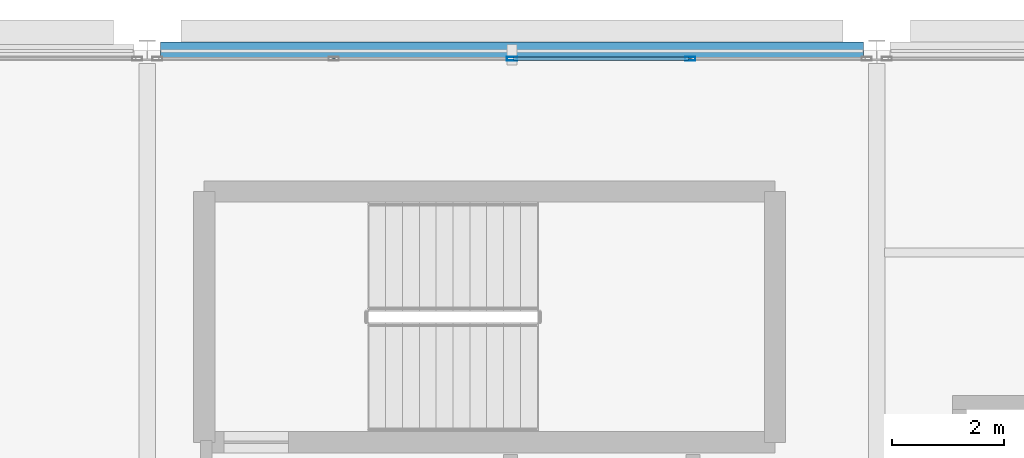
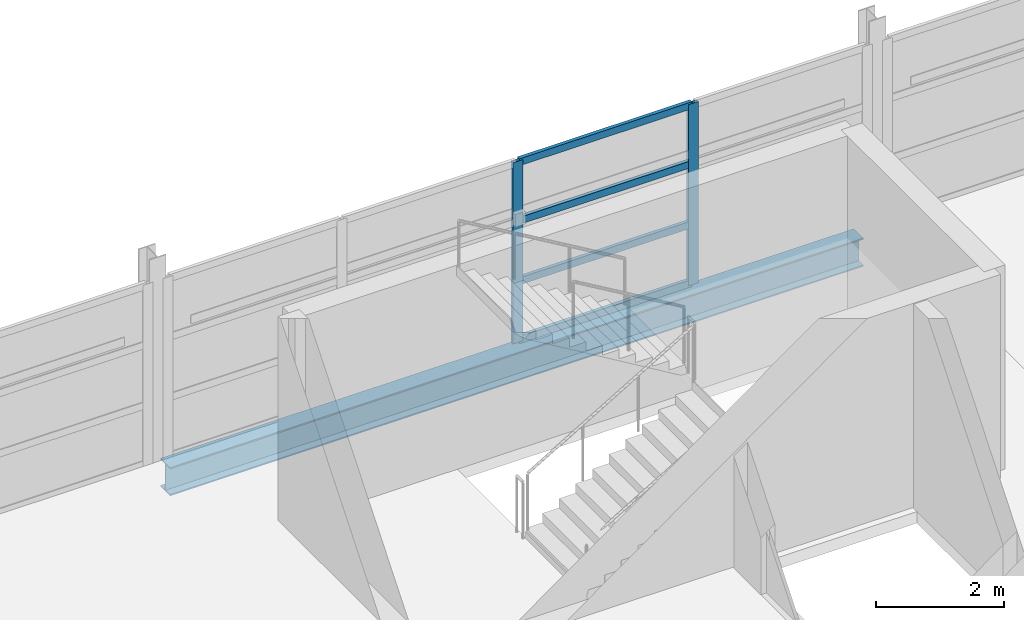
# One storey, part 20 of 33: 6 members, 1 beam, 1 element without a shape of its own.
"""IFC4 building model written with IfcOpenShell, lengths in metres."""

from ifc_helpers import new_model, si_unit, direction, frame, origin, origin_2d, place, context, subcontext, project, spatial, hollow_rectangle, i_section, extrude, material, layer, layer_set, material_profile, profile_set, type_object, element, aggregate, save


model = new_model("IFC4")

# Units and contexts
model_context = context("Model", 3, precision=1e-05, world=origin(), true_north=direction((0.0, 1.0)))
body_context = subcontext(model_context, "Body", "Model", "MODEL_VIEW")
ifc_project = project(units=[si_unit("LENGTHUNIT", "METRE"), si_unit("AREAUNIT", "SQUARE_METRE"), si_unit("VOLUMEUNIT", "CUBIC_METRE"), si_unit("PLANEANGLEUNIT", "RADIAN"), si_unit("MASSUNIT", "GRAM", prefix="KILO")], contexts=[model_context])

# Site, building, storey
site_placement = place(None, origin())
site = spatial("IfcSite", under=ifc_project, at=site_placement, CompositionType="ELEMENT")
building_placement = place(site_placement, origin())
building = spatial("IfcBuilding", under=site, at=building_placement, Name="Tamarisk Ironworks Central Station", CompositionType="ELEMENT")
storey_placement = place(building_placement, frame((0.0, 0.0, 21.300048828125)))
storey = spatial("IfcBuildingStorey", under=building, at=storey_placement, Name="L04", CompositionType="ELEMENT", Elevation=21.300048828125)

# Beam
ifc_material_1 = material(Name="Structural steel S355J2", Category="steel")
ifc_material_profile_1 = material_profile(ifc_material_1, i_section(OverallWidth=0.300048828125, OverallDepth=0.5400390625, WebThickness=0.012451171875, FlangeThickness=0.02392578125, at=origin_2d()), Name="HEA 550")
ifc_profile_set_1 = profile_set([ifc_material_profile_1], Name="Structural steel S355J2")
beam_type = type_object("IfcBeamType", Name="BM-G04", PredefinedType="BEAM", material=ifc_profile_set_1)
beam_placement = place(storey_placement, frame((140.238037109375, 122.39990234375, -0.489990234375), z_axis=(1.0, 0.0, 0.0), x_axis=(0.0, 1.0, 0.0)))
element("IfcBeam", 1, at=beam_placement, inside=storey, type_object=beam_type, Name="L04 primary girder X-0727", PredefinedType="BEAM", context=body_context, shape_type="SweptSolid", body=[
    extrude(i_section(OverallWidth=0.300048828125, OverallDepth=0.5400390625, WebThickness=0.012451171875, FlangeThickness=0.02392578125, at=origin_2d()), origin(), (0.0, 0.0, 1.0), 12.52392578125),
])

# Curtain wall, members
ifc_material_2 = material(Name="Anodized aluminium alloy 6063-T6", Category="aluminium")
ifc_layer = layer(ifc_material_2, 0.179931640625)
ifc_layer_set = layer_set([ifc_layer], Name="Anodized aluminium alloy 6063-T6")
curtain_wall_type = type_object("IfcCurtainWallType", Name="CW-19", PredefinedType="USERDEFINED", material=ifc_layer_set)
curtain_wall_placement = place(storey_placement, origin())
curtain_wall = element("IfcCurtainWall", 2, at=curtain_wall_placement, inside=storey, type_object=curtain_wall_type, Name="Operations L04 north facade curtain wall 140", ObjectType="GLAZED CURTAIN WALL", PredefinedType="USERDEFINED")
ifc_material_profile_2 = material_profile(ifc_material_2, hollow_rectangle(XDim=0.06494140625, YDim=0.179931640625, WallThickness=0.00390625, at=origin_2d()), Name="ALUM 180x65")
ifc_profile_set_2 = profile_set([ifc_material_profile_2], Name="Anodized aluminium alloy 6063-T6")
member_type_1 = type_object("IfcMemberType", Name="CWM-02", PredefinedType="MULLION", material=ifc_profile_set_2)
member_1_placement = place(storey_placement, frame((146.5, 122.25, 0.0), z_axis=(0.0, 0.0, 1.0), x_axis=(0.0, 1.0, 0.0)))
member_1 = element("IfcMember", 3, at=member_1_placement, type_object=member_type_1, Name="CW19 mullion 3", PredefinedType="MULLION", context=body_context, shape_type="SweptSolid", body=[
    extrude(hollow_rectangle(XDim=0.06494140625, YDim=0.179931640625, WallThickness=0.00390625, at=origin_2d()), origin(), (0.0, 0.0, 1.0), 3.4599609375),
])
member_2_placement = place(storey_placement, frame((149.676025390625, 122.25, 0.0), z_axis=(0.0, 0.0, 1.0), x_axis=(0.0, 1.0, 0.0)))
member_2 = element("IfcMember", 4, at=member_2_placement, type_object=member_type_1, Name="CW19 mullion 4", PredefinedType="MULLION", context=body_context, shape_type="SweptSolid", body=[
    extrude(hollow_rectangle(XDim=0.06494140625, YDim=0.179931640625, WallThickness=0.00390625, at=origin_2d()), origin(), (0.0, 0.0, 1.0), 3.4599609375),
])
ifc_material_profile_3 = material_profile(ifc_material_2, hollow_rectangle(XDim=0.06494140625, YDim=0.135009765625, WallThickness=0.00341796875, at=origin_2d()), Name="ALUM 135x65")
ifc_profile_set_3 = profile_set([ifc_material_profile_3], Name="Anodized aluminium alloy 6063-T6")
member_type_2 = type_object("IfcMemberType", Name="CWT-02", PredefinedType="USERDEFINED", material=ifc_profile_set_3)
member_3_placement = place(storey_placement, frame((146.528564453125, 122.25, 0.032470703125), z_axis=(1.0, 0.0, 0.0), x_axis=(0.0, 1.0, 0.0)))
member_3 = element("IfcMember", 5, at=member_3_placement, type_object=member_type_2, Name="CW19 transom 3.1", ObjectType="TRANSOM", PredefinedType="USERDEFINED", context=body_context, shape_type="SweptSolid", body=[
    extrude(hollow_rectangle(XDim=0.06494140625, YDim=0.135009765625, WallThickness=0.00341796875, at=origin_2d()), origin(), (0.0, 0.0, 1.0), 3.118896484375),
])
member_4_placement = place(storey_placement, frame((146.528564453125, 122.25, 1.1533203125), z_axis=(1.0, 0.0, 0.0), x_axis=(0.0, 1.0, 0.0)))
member_4 = element("IfcMember", 6, at=member_4_placement, type_object=member_type_2, Name="CW19 transom 3.2", ObjectType="TRANSOM", PredefinedType="USERDEFINED", context=body_context, shape_type="SweptSolid", body=[
    extrude(hollow_rectangle(XDim=0.06494140625, YDim=0.135009765625, WallThickness=0.00341796875, at=origin_2d()), origin(), (0.0, 0.0, 1.0), 3.118896484375),
])
member_5_placement = place(storey_placement, frame((146.528564453125, 122.25, 2.306640625), z_axis=(1.0, 0.0, 0.0), x_axis=(0.0, 1.0, 0.0)))
member_5 = element("IfcMember", 7, at=member_5_placement, type_object=member_type_2, Name="CW19 transom 3.3", ObjectType="TRANSOM", PredefinedType="USERDEFINED", context=body_context, shape_type="SweptSolid", body=[
    extrude(hollow_rectangle(XDim=0.06494140625, YDim=0.135009765625, WallThickness=0.00341796875, at=origin_2d()), origin(), (0.0, 0.0, 1.0), 3.118896484375),
])
member_6_placement = place(storey_placement, frame((146.528564453125, 122.25, 3.427490234375), z_axis=(1.0, 0.0, 0.0), x_axis=(0.0, 1.0, 0.0)))
member_6 = element("IfcMember", 8, at=member_6_placement, type_object=member_type_2, Name="CW19 transom 3.4", ObjectType="TRANSOM", PredefinedType="USERDEFINED", context=body_context, shape_type="SweptSolid", body=[
    extrude(hollow_rectangle(XDim=0.06494140625, YDim=0.135009765625, WallThickness=0.00341796875, at=origin_2d()), origin(), (0.0, 0.0, 1.0), 3.118896484375),
])
aggregate(curtain_wall, [member_1, member_2, member_3, member_4, member_5, member_6])

save(model, "model.ifc")
